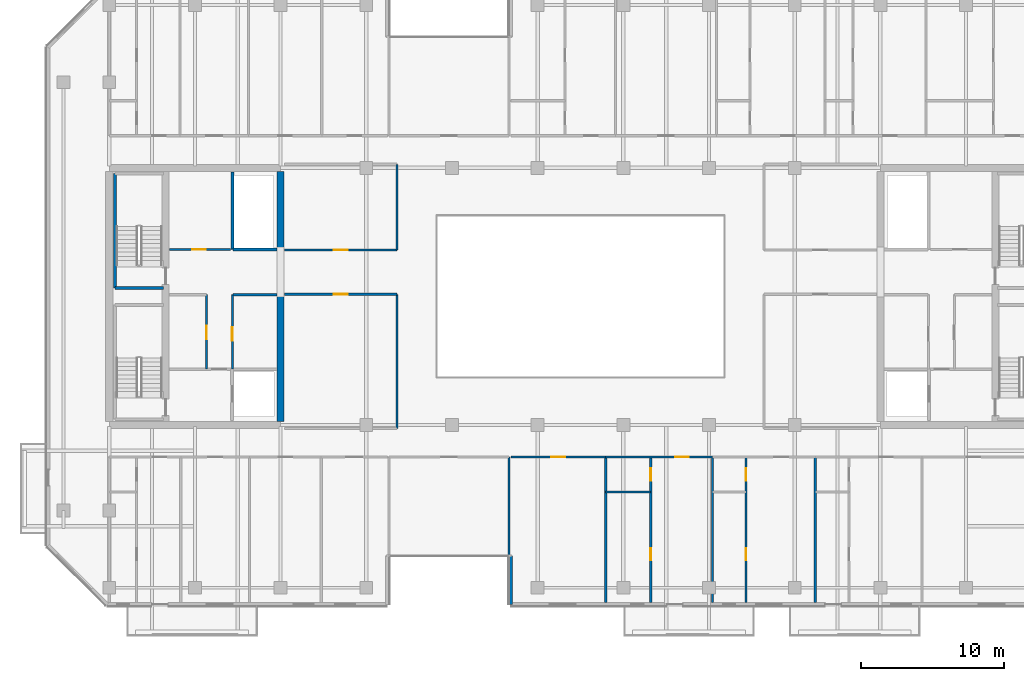
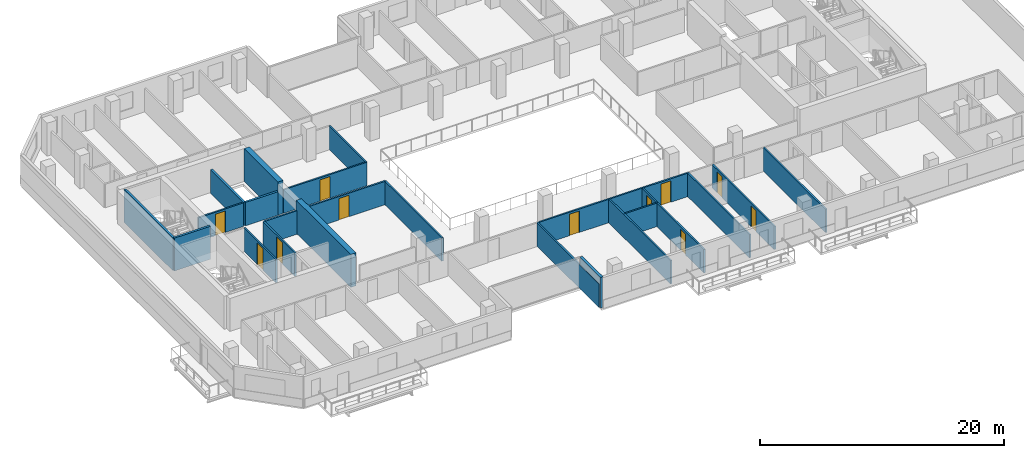
# One storey, part 10 of 19: 24 walls, 11 doors, 11 openings.
"""IFC4 building model written with IfcOpenShell, lengths in metres."""

from ifc_helpers import new_model, si_unit, direction, frame, frame_2d, origin, place, context, subcontext, project, spatial, rectangle, extrude, material, layer, layer_set, type_object, element, fill, save


model = new_model("IFC4")

# Units and contexts
model_context = context("Model", 3, precision=1e-05, world=origin(), true_north=direction((0.0, 1.0)))
body_context = subcontext(model_context, "Body", "Model", "MODEL_VIEW")
ifc_project = project(units=[si_unit("LENGTHUNIT", "METRE"), si_unit("AREAUNIT", "SQUARE_METRE"), si_unit("VOLUMEUNIT", "CUBIC_METRE"), si_unit("PLANEANGLEUNIT", "RADIAN"), si_unit("MASSUNIT", "GRAM", prefix="KILO")], contexts=[model_context])

# Site, building, storey
site_placement = place(None, origin())
site = spatial("IfcSite", under=ifc_project, at=site_placement, CompositionType="ELEMENT")
building_placement = place(site_placement, origin())
building = spatial("IfcBuilding", under=site, at=building_placement, Name="Tanjung Sevakor Pilgrim Tower", CompositionType="ELEMENT")
storey_placement = place(building_placement, frame((0.0, 0.0, 138.60009765625)))
storey = spatial("IfcBuildingStorey", under=building, at=storey_placement, Name="L38", CompositionType="ELEMENT", Elevation=138.60009765625)

# Walls
ifc_material_1 = material(Name="Concrete C60/75", Category="concrete")
ifc_layer_1 = layer(ifc_material_1, 0.5)
ifc_layer_set_1 = layer_set([ifc_layer_1], Name="WALL-CW-500")
wall_type_1 = type_object("IfcWallType", Name="WALL-CW-500", PredefinedType="SHEAR", material=ifc_layer_set_1)
wall_1_placement = place(storey_placement, frame((36.0, 24.85009765625, 0.0), z_axis=(0.0, 0.0, 1.0), x_axis=(0.0, 1.0, 0.0)))
element("IfcWall", 1, at=wall_1_placement, inside=storey, type_object=wall_type_1, Name="L38 W Core Inner Shear Wall South", PredefinedType="SHEAR", context=body_context, shape_type="SweptSolid", body=[
    extrude(rectangle(XDim=8.949951171875, YDim=0.5, at=frame_2d((4.47509765625, 0.0))), origin(), (0.0, 0.0, 1.0), 3.2998046875),
])
wall_2_placement = place(storey_placement, frame((36.0, 36.800048828125, 0.0), z_axis=(0.0, 0.0, 1.0), x_axis=(0.0, 1.0, 0.0)))
element("IfcWall", 2, at=wall_2_placement, inside=storey, type_object=wall_type_1, Name="L38 W Core Inner Shear Wall North", PredefinedType="SHEAR", context=body_context, shape_type="SweptSolid", body=[
    extrude(rectangle(XDim=5.550048828125, YDim=0.5, at=frame_2d((2.77490234375, 0.0))), origin(), (0.0, 0.0, 1.0), 3.2998046875),
])

# Wall, opening, door
ifc_material_2 = material(Name="Concrete C40/50", Category="concrete")
ifc_layer_2 = layer(ifc_material_2, 0.14990234375)
ifc_layer_set_2 = layer_set([ifc_layer_2], Name="WT-COMP-150")
wall_type_2 = type_object("IfcWallType", Name="WT-COMP-150", PredefinedType="SOLIDWALL", material=ifc_layer_set_2)
wall_3_placement = place(storey_placement, frame((30.820068359375, 28.5, 0.0), z_axis=(0.0, 0.0, 1.0), x_axis=(0.0, 1.0, 0.0)))
wall_3 = element("IfcWall", 3, at=wall_3_placement, inside=storey, type_object=wall_type_2, Name="L38 Partition IW-L38-004", PredefinedType="SOLIDWALL", context=body_context, shape_type="SweptSolid", body=[
    extrude(rectangle(XDim=5.219970703125, YDim=0.14990234375, at=frame_2d((2.60986328125, 0.0))), origin(), (0.0, 0.0, 1.0), 2.35009765625),
])
opening_1_placement = place(wall_3_placement, frame((2.10009765625, 0.0, 0.0)))
opening_1 = element("IfcOpeningElement", 4, at=opening_1_placement, cuts=wall_3, Name="Opening ID-FD2", PredefinedType="OPENING", context=body_context, shape_type="SweptSolid", body=[
    extrude(rectangle(XDim=0.949951171875, YDim=2.14990234375, at=frame_2d((0.47509765625, 1.074951171875))), frame((0.0, 0.0849609375, 0.0), z_axis=(0.0, -1.0, 0.0), x_axis=(1.0, 0.0, 0.0)), (0.0, 0.0, 1.0), 0.169921875),
])
ifc_material_3 = material(Name="Fire-Rated Timber", Category="wood")
door_type_1 = type_object("IfcDoorType", Name="DT-FIRE-950", OperationType="NOTDEFINED", PredefinedType="DOOR", material=ifc_material_3)
door_1_placement = place(opening_1_placement, origin())
door_1 = element("IfcDoor", 5, at=door_1_placement, inside=storey, type_object=door_type_1, Name="L38 Housekeeping Pantry Door", OperationType="SINGLE_SWING_LEFT", OverallHeight=2.14990234375, OverallWidth=0.949951171875, PredefinedType="DOOR", context=body_context, shape_type="SweptSolid", body=[
    extrude(rectangle(XDim=0.949951171875, YDim=2.14990234375, at=frame_2d((0.47509765625, 1.074951171875))), frame((0.0, 0.02490234375, 0.0), z_axis=(0.0, -1.0, 0.0), x_axis=(1.0, 0.0, 0.0)), (0.0, 0.0, 1.0), 0.050048828125),
])
fill(opening_1, door_1)

# Wall
wall_4_placement = place(storey_placement, frame((32.679931640625, 33.719970703125, 0.0), z_axis=(0.0, 0.0, 1.0), x_axis=(1.0, 0.0, 0.0)))
element("IfcWall", 6, at=wall_4_placement, inside=storey, type_object=wall_type_2, Name="L38 Partition IW-L38-005", PredefinedType="SOLIDWALL", context=body_context, shape_type="SweptSolid", body=[
    extrude(rectangle(XDim=3.050048828125, YDim=0.14990234375, at=frame_2d((1.52490234375, 0.0))), origin(), (0.0, 0.0, 1.0), 2.35009765625),
])

# Wall, opening, door
wall_5_placement = place(storey_placement, frame((32.6201171875, 28.5, 0.0), z_axis=(0.0, 0.0, 1.0), x_axis=(0.0, 1.0, 0.0)))
wall_5 = element("IfcWall", 7, at=wall_5_placement, inside=storey, type_object=wall_type_2, Name="L38 Partition IW-L38-006", PredefinedType="SOLIDWALL", context=body_context, shape_type="SweptSolid", body=[
    extrude(rectangle(XDim=5.219970703125, YDim=0.14990234375, at=frame_2d((2.60986328125, 0.0))), origin(), (0.0, 0.0, 1.0), 2.35009765625),
])
opening_2_placement = place(wall_5_placement, frame((2.0, 0.0, 0.0)))
opening_2 = element("IfcOpeningElement", 8, at=opening_2_placement, cuts=wall_5, Name="Opening ID-FD2", PredefinedType="OPENING", context=body_context, shape_type="SweptSolid", body=[
    extrude(rectangle(XDim=0.949951171875, YDim=2.14990234375, at=frame_2d((0.47509765625, 1.074951171875))), frame((0.0, 0.0849609375, 0.0), z_axis=(0.0, -1.0, 0.0), x_axis=(1.0, 0.0, 0.0)), (0.0, 0.0, 1.0), 0.169921875),
])
door_2_placement = place(opening_2_placement, origin())
door_2 = element("IfcDoor", 9, at=door_2_placement, inside=storey, type_object=door_type_1, Name="L38 Accessible WC Door", OperationType="SINGLE_SWING_RIGHT", OverallHeight=2.14990234375, OverallWidth=0.949951171875, PredefinedType="DOOR", context=body_context, shape_type="SweptSolid", body=[
    extrude(rectangle(XDim=0.949951171875, YDim=2.14990234375, at=frame_2d((0.47509765625, 1.074951171875))), frame((0.0, 0.02490234375, 0.0), z_axis=(0.0, -1.0, 0.0), x_axis=(1.0, 0.0, 0.0)), (0.0, 0.0, 1.0), 0.050048828125),
])
fill(opening_2, door_2)

wall_6_placement = place(storey_placement, frame((28.219970703125, 36.8798828125, 0.0), z_axis=(0.0, 0.0, 1.0), x_axis=(1.0, 0.0, 0.0)))
wall_6 = element("IfcWall", 10, at=wall_6_placement, inside=storey, type_object=wall_type_2, Name="L38 Partition IW-L38-007", PredefinedType="SOLIDWALL", context=body_context, shape_type="SweptSolid", body=[
    extrude(rectangle(XDim=4.280029296875, YDim=0.14990234375, at=frame_2d((2.14013671875, 0.0))), origin(), (0.0, 0.0, 1.0), 2.35009765625),
])
opening_3_placement = place(wall_6_placement, frame((1.60009765625, 0.0, 0.0)))
opening_3 = element("IfcOpeningElement", 11, at=opening_3_placement, cuts=wall_6, Name="Opening ID-FD2", PredefinedType="OPENING", context=body_context, shape_type="SweptSolid", body=[
    extrude(rectangle(XDim=0.949951171875, YDim=2.14990234375, at=frame_2d((0.47509765625, 1.074951171875))), frame((0.0, 0.0849609375, 0.0), z_axis=(0.0, -1.0, 0.0), x_axis=(1.0, 0.0, 0.0)), (0.0, 0.0, 1.0), 0.169921875),
])
door_3_placement = place(opening_3_placement, origin())
door_3 = element("IfcDoor", 12, at=door_3_placement, inside=storey, type_object=door_type_1, Name="L38 Core Prayer Room Door", OperationType="SINGLE_SWING_LEFT", OverallHeight=2.14990234375, OverallWidth=0.949951171875, PredefinedType="DOOR", context=body_context, shape_type="SweptSolid", body=[
    extrude(rectangle(XDim=0.949951171875, YDim=2.14990234375, at=frame_2d((0.47509765625, 1.074951171875))), frame((0.0, 0.02490234375, 0.0), z_axis=(0.0, -1.0, 0.0), x_axis=(1.0, 0.0, 0.0)), (0.0, 0.0, 1.0), 0.050048828125),
])
fill(opening_3, door_3)

wall_7_placement = place(storey_placement, frame((36.27001953125, 33.75, 0.0), z_axis=(0.0, 0.0, 1.0), x_axis=(1.0, 0.0, 0.0)))
wall_7 = element("IfcWall", 13, at=wall_7_placement, inside=storey, type_object=wall_type_2, Name="L38 Partition IW-L38-020", PredefinedType="SOLIDWALL", context=body_context, shape_type="SweptSolid", body=[
    extrude(rectangle(XDim=7.8798828125, YDim=0.14990234375, at=frame_2d((3.93994140625, 0.0))), origin(), (0.0, 0.0, 1.0), 2.35009765625),
])
opening_4_placement = place(wall_7_placement, frame((3.465087890625, 0.0, 0.0)))
opening_4 = element("IfcOpeningElement", 14, at=opening_4_placement, cuts=wall_7, Name="Opening ID-RM1", PredefinedType="OPENING", context=body_context, shape_type="SweptSolid", body=[
    extrude(rectangle(XDim=0.949951171875, YDim=2.14990234375, at=frame_2d((0.47509765625, 1.074951171875))), frame((0.0, 0.0849609375, 0.0), z_axis=(0.0, -1.0, 0.0), x_axis=(1.0, 0.0, 0.0)), (0.0, 0.0, 1.0), 0.169921875),
])
ifc_material_4 = material(Name="Hardwood Timber", Category="wood")
door_type_2 = type_object("IfcDoorType", Name="DT-INT-950", OperationType="NOTDEFINED", PredefinedType="DOOR", material=ifc_material_4)
door_4_placement = place(opening_4_placement, origin())
door_4 = element("IfcDoor", 15, at=door_4_placement, inside=storey, type_object=door_type_2, Name="L38 West Inboard South Door", OperationType="SINGLE_SWING_LEFT", OverallHeight=2.14990234375, OverallWidth=0.949951171875, PredefinedType="DOOR", context=body_context, shape_type="SweptSolid", body=[
    extrude(rectangle(XDim=0.949951171875, YDim=2.14990234375, at=frame_2d((0.47509765625, 1.074951171875))), frame((0.0, 0.02490234375, 0.0), z_axis=(0.0, -1.0, 0.0), x_axis=(1.0, 0.0, 0.0)), (0.0, 0.0, 1.0), 0.050048828125),
])
fill(opening_4, door_4)

# Wall
wall_8_placement = place(storey_placement, frame((44.14990234375, 24.35009765625, 0.0), z_axis=(0.0, 0.0, 1.0), x_axis=(0.0, 1.0, 0.0)))
element("IfcWall", 16, at=wall_8_placement, inside=storey, type_object=wall_type_2, Name="L38 Partition IW-L38-021", PredefinedType="SOLIDWALL", context=body_context, shape_type="SweptSolid", body=[
    extrude(rectangle(XDim=9.39990234375, YDim=0.14990234375, at=frame_2d((4.699951171875, 0.0))), origin(), (0.0, 0.0, 1.0), 2.35009765625),
])

# Wall, opening, door
wall_9_placement = place(storey_placement, frame((36.27001953125, 36.85009765625, 0.0), z_axis=(0.0, 0.0, 1.0), x_axis=(1.0, 0.0, 0.0)))
wall_9 = element("IfcWall", 17, at=wall_9_placement, inside=storey, type_object=wall_type_2, Name="L38 Partition IW-L38-022", PredefinedType="SOLIDWALL", context=body_context, shape_type="SweptSolid", body=[
    extrude(rectangle(XDim=7.8798828125, YDim=0.14990234375, at=frame_2d((3.93994140625, 0.0))), origin(), (0.0, 0.0, 1.0), 2.35009765625),
])
opening_5_placement = place(wall_9_placement, frame((3.465087890625, 0.0, 0.0)))
opening_5 = element("IfcOpeningElement", 18, at=opening_5_placement, cuts=wall_9, Name="Opening ID-RM1", PredefinedType="OPENING", context=body_context, shape_type="SweptSolid", body=[
    extrude(rectangle(XDim=0.949951171875, YDim=2.14990234375, at=frame_2d((0.47509765625, 1.074951171875))), frame((0.0, 0.0849609375, 0.0), z_axis=(0.0, -1.0, 0.0), x_axis=(1.0, 0.0, 0.0)), (0.0, 0.0, 1.0), 0.169921875),
])
door_5_placement = place(opening_5_placement, origin())
door_5 = element("IfcDoor", 19, at=door_5_placement, inside=storey, type_object=door_type_2, Name="L38 West Inboard North Door", OperationType="SINGLE_SWING_RIGHT", OverallHeight=2.14990234375, OverallWidth=0.949951171875, PredefinedType="DOOR", context=body_context, shape_type="SweptSolid", body=[
    extrude(rectangle(XDim=0.949951171875, YDim=2.14990234375, at=frame_2d((0.47509765625, 1.074951171875))), frame((0.0, 0.02490234375, 0.0), z_axis=(0.0, -1.0, 0.0), x_axis=(1.0, 0.0, 0.0)), (0.0, 0.0, 1.0), 0.050048828125),
])
fill(opening_5, door_5)

# Walls
wall_10_placement = place(storey_placement, frame((44.14990234375, 36.85009765625, 0.0), z_axis=(0.0, 0.0, 1.0), x_axis=(0.0, 1.0, 0.0)))
element("IfcWall", 20, at=wall_10_placement, inside=storey, type_object=wall_type_2, Name="L38 Partition IW-L38-024", PredefinedType="SOLIDWALL", context=body_context, shape_type="SweptSolid", body=[
    extrude(rectangle(XDim=6.0, YDim=0.14990234375, at=frame_2d((3.0, 0.0))), origin(), (0.0, 0.0, 1.0), 2.35009765625),
])
for number, where, z_axis, x_axis, name in (
    (21, (52.0, 12.14990234375, 0.0), (0.0, 0.0, 1.0), (0.0, 1.0, 0.0), "L38 Partition IW-L38-033"),
    (22, (58.7666015625, 12.14990234375, 0.0), (0.0, 0.0, 1.0), (0.0, 1.0, 0.0), "L38 Partition IW-L38-048"),
):
    element("IfcWall", number, at=place(storey_placement, frame(where, z_axis=z_axis, x_axis=x_axis)), inside=storey, type_object=wall_type_2, Name=name, PredefinedType="SOLIDWALL", context=body_context, shape_type="SweptSolid", body=[
        extrude(rectangle(XDim=10.2001953125, YDim=0.14990234375, at=frame_2d((5.10009765625, 0.0))), origin(), (0.0, 0.0, 1.0), 2.35009765625),
    ])

# Wall, opening, door
wall_11_placement = place(storey_placement, frame((52.1201171875, 22.35009765625, 0.0), z_axis=(0.0, 0.0, 1.0), x_axis=(1.0, 0.0, 0.0)))
wall_11 = element("IfcWall", 23, at=wall_11_placement, inside=storey, type_object=wall_type_2, Name="L38 Partition IW-L38-049", PredefinedType="SOLIDWALL", context=body_context, shape_type="SweptSolid", body=[
    extrude(rectangle(XDim=6.646484375, YDim=0.14990234375, at=frame_2d((3.3232421875, 0.0))), origin(), (0.0, 0.0, 1.0), 2.35009765625),
])
opening_6_placement = place(wall_11_placement, frame((2.848388671875, 0.0, 0.0)))
opening_6 = element("IfcOpeningElement", 24, at=opening_6_placement, cuts=wall_11, Name="Opening ID-FD2", PredefinedType="OPENING", context=body_context, shape_type="SweptSolid", body=[
    extrude(rectangle(XDim=0.949951171875, YDim=2.14990234375, at=frame_2d((0.47509765625, 1.074951171875))), frame((0.0, 0.0849609375, 0.0), z_axis=(0.0, -1.0, 0.0), x_axis=(1.0, 0.0, 0.0)), (0.0, 0.0, 1.0), 0.169921875),
])
door_6_placement = place(opening_6_placement, origin())
door_6 = element("IfcDoor", 25, at=door_6_placement, inside=storey, type_object=door_type_1, Name="Housekeeping Pantry Door", OperationType="SINGLE_SWING_LEFT", OverallHeight=2.14990234375, OverallWidth=0.949951171875, PredefinedType="DOOR", context=body_context, shape_type="SweptSolid", body=[
    extrude(rectangle(XDim=0.949951171875, YDim=2.14990234375, at=frame_2d((0.47509765625, 1.074951171875))), frame((0.0, 0.02490234375, 0.0), z_axis=(0.0, -1.0, 0.0), x_axis=(1.0, 0.0, 0.0)), (0.0, 0.0, 1.0), 0.050048828125),
])
fill(opening_6, door_6)

# Wall
wall_12_placement = place(storey_placement, frame((66.244140625, 12.14990234375, 0.0), z_axis=(0.0, 0.0, 1.0), x_axis=(0.0, 1.0, 0.0)))
element("IfcWall", 26, at=wall_12_placement, inside=storey, type_object=wall_type_2, Name="L38 Partition IW-L38-050", PredefinedType="SOLIDWALL", context=body_context, shape_type="SweptSolid", body=[
    extrude(rectangle(XDim=10.2001953125, YDim=0.14990234375, at=frame_2d((5.10009765625, 0.0))), origin(), (0.0, 0.0, 1.0), 2.35009765625),
])

# Wall, opening, door
wall_13_placement = place(storey_placement, frame((58.7666015625, 22.35009765625, 0.0), z_axis=(0.0, 0.0, 1.0), x_axis=(1.0, 0.0, 0.0)))
wall_13 = element("IfcWall", 27, at=wall_13_placement, inside=storey, type_object=wall_type_2, Name="L38 Partition IW-L38-053", PredefinedType="SOLIDWALL", context=body_context, shape_type="SweptSolid", body=[
    extrude(rectangle(XDim=7.4775390625, YDim=0.14990234375, at=frame_2d((3.73876953125, 0.0))), origin(), (0.0, 0.0, 1.0), 2.35009765625),
])
opening_7_placement = place(wall_13_placement, frame((4.880615234375, 0.0, 0.0)))
opening_7 = element("IfcOpeningElement", 28, at=opening_7_placement, cuts=wall_13, Name="Opening ID-FD2", PredefinedType="OPENING", context=body_context, shape_type="SweptSolid", body=[
    extrude(rectangle(XDim=0.949951171875, YDim=2.14990234375, at=frame_2d((0.47509765625, 1.074951171875))), frame((0.0, 0.0849609375, 0.0), z_axis=(0.0, -1.0, 0.0), x_axis=(1.0, 0.0, 0.0)), (0.0, 0.0, 1.0), 0.169921875),
])
door_7_placement = place(opening_7_placement, origin())
door_7 = element("IfcDoor", 29, at=door_7_placement, inside=storey, type_object=door_type_1, Name="Hostel Quad Entrance", OperationType="SINGLE_SWING_RIGHT", OverallHeight=2.14990234375, OverallWidth=0.949951171875, PredefinedType="DOOR", context=body_context, shape_type="SweptSolid", body=[
    extrude(rectangle(XDim=0.949951171875, YDim=2.14990234375, at=frame_2d((0.47509765625, 1.074951171875))), frame((0.0, 0.02490234375, 0.0), z_axis=(0.0, -1.0, 0.0), x_axis=(1.0, 0.0, 0.0)), (0.0, 0.0, 1.0), 0.050048828125),
])
fill(opening_7, door_7)

# Walls
wall_14_placement = place(storey_placement, frame((73.444580078125, 12.14990234375, 0.0), z_axis=(0.0, 0.0, 1.0), x_axis=(0.0, 1.0, 0.0)))
element("IfcWall", 30, at=wall_14_placement, inside=storey, type_object=wall_type_2, Name="L38 Partition IW-L38-054", PredefinedType="SOLIDWALL", context=body_context, shape_type="SweptSolid", body=[
    extrude(rectangle(XDim=10.2001953125, YDim=0.14990234375, at=frame_2d((5.10009765625, 0.0))), origin(), (0.0, 0.0, 1.0), 2.35009765625),
])
ifc_material_5 = material(Name="Precast concrete C45/55", Category="concrete")
ifc_layer_3 = layer(ifc_material_5, 0.25)
ifc_layer_set_3 = layer_set([ifc_layer_3], Name="WT-EW-STN3")
wall_type_3 = type_object("IfcWallType", Name="WT-EW-STN3", PredefinedType="SOLIDWALL", material=ifc_layer_set_3)
wall_15_placement = place(storey_placement, frame((52.125, 15.425048828125, 0.0), z_axis=(0.0, 0.0, 1.0), x_axis=(0.0, -1.0, 0.0)))
element("IfcWall", 31, at=wall_15_placement, inside=storey, type_object=wall_type_3, Name="L38 MAIN Exterior Wall 4", PredefinedType="SOLIDWALL", context=body_context, shape_type="SweptSolid", body=[
    extrude(rectangle(XDim=3.400146484375, YDim=0.25, at=frame_2d((1.7001953125, 0.0))), origin(), (0.0, 0.0, 1.0), 3.080078125),
])
ifc_material_6 = material(Name="Concrete C40/50", Category="concrete")
ifc_layer_4 = layer(ifc_material_6, 0.199951171875)
ifc_layer_set_4 = layer_set([ifc_layer_4], Name="WT-FIRE-200")
wall_type_4 = type_object("IfcWallType", Name="WT-FIRE-200", PredefinedType="SOLIDWALL", material=ifc_layer_set_4)
wall_16_placement = place(storey_placement, frame((24.39990234375, 34.199951171875, 0.0), z_axis=(0.0, 0.0, 1.0), x_axis=(1.0, 0.0, 0.0)))
element("IfcWall", 32, at=wall_16_placement, inside=storey, type_object=wall_type_4, Name="L38 TS-W2 Shaft Wall 1", PredefinedType="SOLIDWALL", context=body_context, shape_type="SweptSolid", body=[
    extrude(rectangle(XDim=3.400146484375, YDim=0.199951171875, at=frame_2d((1.7001953125, 0.0))), origin(), (0.0, 0.0, 1.0), 3.2998046875),
])
wall_17_placement = place(storey_placement, frame((24.39990234375, 42.199951171875, 0.0), z_axis=(0.0, 0.0, 1.0), x_axis=(0.0, -1.0, 0.0)))
element("IfcWall", 33, at=wall_17_placement, inside=storey, type_object=wall_type_4, Name="L38 TS-W2 Shaft Wall 3", PredefinedType="SOLIDWALL", context=body_context, shape_type="SweptSolid", body=[
    extrude(rectangle(XDim=8.0, YDim=0.199951171875, at=frame_2d((4.0, 0.0))), origin(), (0.0, 0.0, 1.0), 3.2998046875),
])
ifc_material_7 = material(Name="Concrete C40/50", Category="concrete")
ifc_layer_5 = layer(ifc_material_7, 0.199951171875)
ifc_layer_set_5 = layer_set([ifc_layer_5], Name="WT-FPRT-200")
wall_type_5 = type_object("IfcWallType", Name="WT-FPRT-200", PredefinedType="SOLIDWALL", material=ifc_layer_set_5)
wall_18_placement = place(storey_placement, frame((32.679931640625, 36.8798828125, 0.0), z_axis=(0.0, 0.0, 1.0), x_axis=(1.0, 0.0, 0.0)))
element("IfcWall", 34, at=wall_18_placement, inside=storey, type_object=wall_type_5, Name="L38 Partition IW-L38-008", PredefinedType="SOLIDWALL", context=body_context, shape_type="SweptSolid", body=[
    extrude(rectangle(XDim=3.050048828125, YDim=0.199951171875, at=frame_2d((1.52490234375, 0.0))), origin(), (0.0, 0.0, 1.0), 2.35009765625),
])
wall_19_placement = place(storey_placement, frame((32.6201171875, 36.8798828125, 0.0), z_axis=(0.0, 0.0, 1.0), x_axis=(0.0, 1.0, 0.0)))
element("IfcWall", 35, at=wall_19_placement, inside=storey, type_object=wall_type_5, Name="L38 Partition IW-L38-009", PredefinedType="SOLIDWALL", context=body_context, shape_type="SweptSolid", body=[
    extrude(rectangle(XDim=5.420166015625, YDim=0.199951171875, at=frame_2d((2.7099609375, 0.0))), origin(), (0.0, 0.0, 1.0), 2.35009765625),
])
ifc_material_8 = material(Name="Gypsum Board Partition", Category="gypsum board")
ifc_layer_6 = layer(ifc_material_8, 0.14990234375)
ifc_layer_set_6 = layer_set([ifc_layer_6], Name="WT-PART-150")
wall_type_6 = type_object("IfcWallType", Name="WT-PART-150", PredefinedType="PARTITIONING", material=ifc_layer_set_6)
wall_20_placement = place(storey_placement, frame((58.7666015625, 19.89990234375, 0.0), z_axis=(0.0, 0.0, 1.0), x_axis=(1.0, 0.0, 0.0)))
element("IfcWall", 36, at=wall_20_placement, inside=storey, type_object=wall_type_6, Name="L38 Partition IW-L38-051", PredefinedType="PARTITIONING", context=body_context, shape_type="SweptSolid", body=[
    extrude(rectangle(XDim=3.1533203125, YDim=0.14990234375, at=frame_2d((1.57666015625, 0.0))), origin(), (0.0, 0.0, 1.0), 2.35009765625),
])

# Wall, openings, doors
wall_21_placement = place(storey_placement, frame((61.919921875, 12.14990234375, 0.0), z_axis=(0.0, 0.0, 1.0), x_axis=(0.0, 1.0, 0.0)))
wall_21 = element("IfcWall", 37, at=wall_21_placement, inside=storey, type_object=wall_type_6, Name="L38 Partition IW-L38-052", PredefinedType="PARTITIONING", context=body_context, shape_type="SweptSolid", body=[
    extrude(rectangle(XDim=10.2001953125, YDim=0.14990234375, at=frame_2d((5.10009765625, 0.0))), origin(), (0.0, 0.0, 1.0), 2.35009765625),
])
opening_8_placement = place(wall_21_placement, frame((2.9599609375, 0.0, 0.0)))
opening_8 = element("IfcOpeningElement", 38, at=opening_8_placement, cuts=wall_21, Name="Opening ID-WC1", PredefinedType="OPENING", context=body_context, shape_type="SweptSolid", body=[
    extrude(rectangle(XDim=0.85009765625, YDim=2.10009765625, at=frame_2d((0.425048828125, 1.050048828125))), frame((0.0, 0.0849609375, 0.0), z_axis=(0.0, -1.0, 0.0), x_axis=(1.0, 0.0, 0.0)), (0.0, 0.0, 1.0), 0.169921875),
])
opening_9_placement = place(wall_21_placement, frame((8.550048828125, 0.0, 0.0)))
opening_9 = element("IfcOpeningElement", 39, at=opening_9_placement, cuts=wall_21, Name="Opening ID-WC1", PredefinedType="OPENING", context=body_context, shape_type="SweptSolid", body=[
    extrude(rectangle(XDim=0.85009765625, YDim=2.10009765625, at=frame_2d((0.425048828125, 1.050048828125))), frame((0.0, 0.0849609375, 0.0), z_axis=(0.0, -1.0, 0.0), x_axis=(1.0, 0.0, 0.0)), (0.0, 0.0, 1.0), 0.169921875),
])
ifc_material_9 = material(Name="Moisture-Resistant Timber", Category="wood")
door_type_3 = type_object("IfcDoorType", Name="DT-INT-850", OperationType="NOTDEFINED", PredefinedType="DOOR", material=ifc_material_9)
door_8_placement = place(opening_8_placement, origin())
door_8 = element("IfcDoor", 40, at=door_8_placement, inside=storey, type_object=door_type_3, Name="Study Nook Door", OperationType="SINGLE_SWING_RIGHT", OverallHeight=2.10009765625, OverallWidth=0.85009765625, PredefinedType="DOOR", context=body_context, shape_type="SweptSolid", body=[
    extrude(rectangle(XDim=0.85009765625, YDim=2.10009765625, at=frame_2d((0.425048828125, 1.050048828125))), frame((0.0, 0.02490234375, 0.0), z_axis=(0.0, -1.0, 0.0), x_axis=(1.0, 0.0, 0.0)), (0.0, 0.0, 1.0), 0.050048828125),
])
fill(opening_8, door_8)
door_9_placement = place(opening_9_placement, origin())
door_9 = element("IfcDoor", 41, at=door_9_placement, inside=storey, type_object=door_type_3, Name="Bathroom Door", OperationType="SINGLE_SWING_LEFT", OverallHeight=2.10009765625, OverallWidth=0.85009765625, PredefinedType="DOOR", context=body_context, shape_type="SweptSolid", body=[
    extrude(rectangle(XDim=0.85009765625, YDim=2.10009765625, at=frame_2d((0.425048828125, 1.050048828125))), frame((0.0, 0.02490234375, 0.0), z_axis=(0.0, -1.0, 0.0), x_axis=(1.0, 0.0, 0.0)), (0.0, 0.0, 1.0), 0.050048828125),
])
fill(opening_9, door_9)

wall_22_placement = place(storey_placement, frame((68.593994140625, 12.14990234375, 0.0), z_axis=(0.0, 0.0, 1.0), x_axis=(0.0, 1.0, 0.0)))
wall_22 = element("IfcWall", 42, at=wall_22_placement, inside=storey, type_object=wall_type_6, Name="L38 Partition IW-L38-056", PredefinedType="PARTITIONING", context=body_context, shape_type="SweptSolid", body=[
    extrude(rectangle(XDim=10.2001953125, YDim=0.14990234375, at=frame_2d((5.10009765625, 0.0))), origin(), (0.0, 0.0, 1.0), 2.35009765625),
])
opening_10_placement = place(wall_22_placement, frame((2.9599609375, 0.0, 0.0)))
opening_10 = element("IfcOpeningElement", 43, at=opening_10_placement, cuts=wall_22, Name="Opening ID-WC1", PredefinedType="OPENING", context=body_context, shape_type="SweptSolid", body=[
    extrude(rectangle(XDim=0.85009765625, YDim=2.10009765625, at=frame_2d((0.425048828125, 1.050048828125))), frame((0.0, 0.0849609375, 0.0), z_axis=(0.0, -1.0, 0.0), x_axis=(1.0, 0.0, 0.0)), (0.0, 0.0, 1.0), 0.169921875),
])
opening_11_placement = place(wall_22_placement, frame((8.550048828125, 0.0, 0.0)))
opening_11 = element("IfcOpeningElement", 44, at=opening_11_placement, cuts=wall_22, Name="Opening ID-WC1", PredefinedType="OPENING", context=body_context, shape_type="SweptSolid", body=[
    extrude(rectangle(XDim=0.85009765625, YDim=2.10009765625, at=frame_2d((0.425048828125, 1.050048828125))), frame((0.0, 0.0849609375, 0.0), z_axis=(0.0, -1.0, 0.0), x_axis=(1.0, 0.0, 0.0)), (0.0, 0.0, 1.0), 0.169921875),
])
door_10_placement = place(opening_10_placement, origin())
door_10 = element("IfcDoor", 45, at=door_10_placement, inside=storey, type_object=door_type_3, Name="Study Nook Door", OperationType="SINGLE_SWING_LEFT", OverallHeight=2.10009765625, OverallWidth=0.85009765625, PredefinedType="DOOR", context=body_context, shape_type="SweptSolid", body=[
    extrude(rectangle(XDim=0.85009765625, YDim=2.10009765625, at=frame_2d((0.425048828125, 1.050048828125))), frame((0.0, 0.02490234375, 0.0), z_axis=(0.0, -1.0, 0.0), x_axis=(1.0, 0.0, 0.0)), (0.0, 0.0, 1.0), 0.050048828125),
])
fill(opening_10, door_10)
door_11_placement = place(opening_11_placement, origin())
door_11 = element("IfcDoor", 46, at=door_11_placement, inside=storey, type_object=door_type_3, Name="Bathroom Door", OperationType="SINGLE_SWING_RIGHT", OverallHeight=2.10009765625, OverallWidth=0.85009765625, PredefinedType="DOOR", context=body_context, shape_type="SweptSolid", body=[
    extrude(rectangle(XDim=0.85009765625, YDim=2.10009765625, at=frame_2d((0.425048828125, 1.050048828125))), frame((0.0, 0.02490234375, 0.0), z_axis=(0.0, -1.0, 0.0), x_axis=(1.0, 0.0, 0.0)), (0.0, 0.0, 1.0), 0.050048828125),
])
fill(opening_11, door_11)

save(model, "model.ifc")
